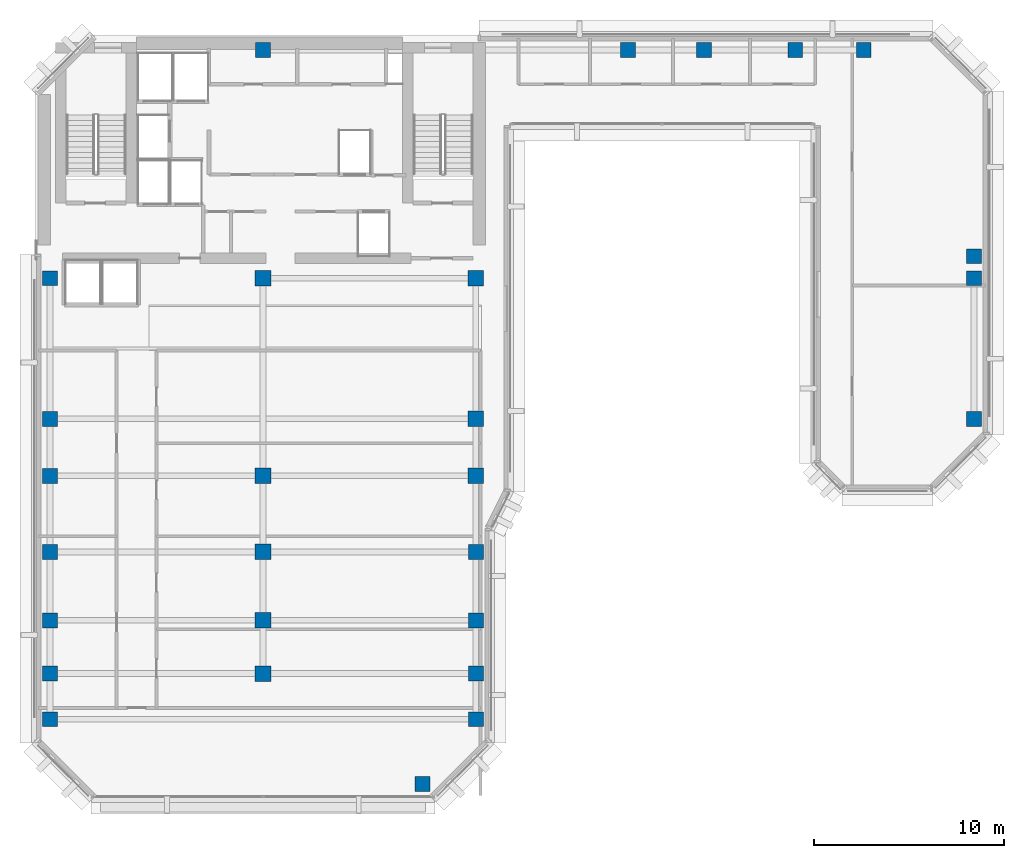
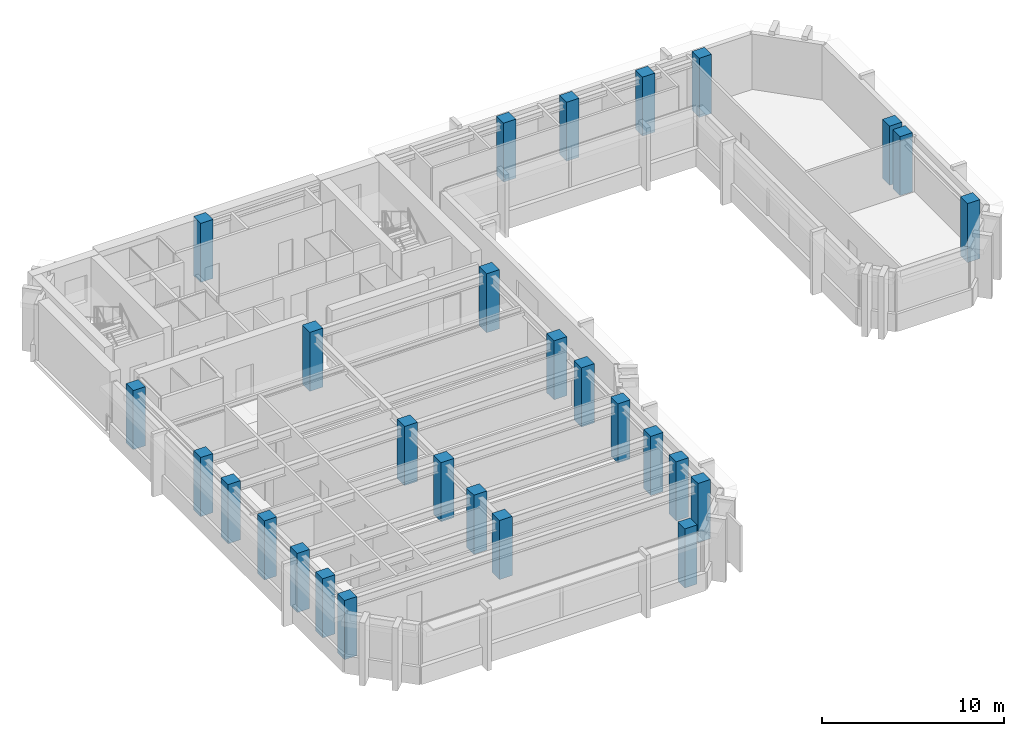
# One storey, part 1 of 11: 28 columns.
"""IFC4 building model written with IfcOpenShell, lengths in metres."""

from ifc_helpers import new_model, si_unit, direction, frame, origin, origin_2d, place, context, subcontext, project, spatial, rectangle, extrude, material, material_profile, profile_set, type_object, element, save


model = new_model("IFC4")

# Units and contexts
model_context = context("Model", 3, precision=1e-05, world=origin(), true_north=direction((0.0, 1.0)))
body_context = subcontext(model_context, "Body", "Model", "MODEL_VIEW")
ifc_project = project(units=[si_unit("LENGTHUNIT", "METRE"), si_unit("AREAUNIT", "SQUARE_METRE"), si_unit("VOLUMEUNIT", "CUBIC_METRE"), si_unit("PLANEANGLEUNIT", "RADIAN"), si_unit("MASSUNIT", "GRAM", prefix="KILO")], contexts=[model_context])

# Site, building, storey
site_placement = place(None, origin())
site = spatial("IfcSite", under=ifc_project, at=site_placement, CompositionType="ELEMENT")
building_placement = place(site_placement, origin())
building = spatial("IfcBuilding", under=site, at=building_placement, Name="Kefirva Bronze Tower", CompositionType="ELEMENT")
storey_placement = place(building_placement, frame((0.0, 0.0, 231.659912109375)))
storey = spatial("IfcBuildingStorey", under=building, at=storey_placement, Name="L56", CompositionType="ELEMENT", Elevation=231.659912109375)

# Columns
ifc_material = material(Name="Concrete C50/60", Category="concrete")
ifc_material_profile_1 = material_profile(ifc_material, rectangle(XDim=0.780029296875, YDim=0.780029296875, at=origin_2d()), Name="RC 780x780")
ifc_profile_set_1 = profile_set([ifc_material_profile_1], Name="Concrete C50/60")
column_type_1 = type_object("IfcColumnType", Name="RC Column 780x780 Ext", PredefinedType="COLUMN", material=ifc_profile_set_1)
for number, where, z_axis, x_axis, name in (
    (1, (0.800048828125, 10.0, 0.0), (0.0, 0.0, 1.0), (1.0, 0.0, 0.0), "L56 Column C008_100"),
    (2, (0.800048828125, 12.39990234375, 0.0), (0.0, 0.0, 1.0), (1.0, 0.0, 0.0), "L56 Column C008_124"),
    (3, (0.800048828125, 15.199951171875, 0.0), (0.0, 0.0, 1.0), (1.0, 0.0, 0.0), "L56 Column C008_152"),
    (4, (0.800048828125, 18.800048828125, 0.0), (0.0, 0.0, 1.0), (1.0, 0.0, 0.0), "L56 Column C008_188"),
    (5, (0.800048828125, 22.800048828125, 0.0), (0.0, 0.0, 1.0), (1.0, 0.0, 0.0), "L56 Column C008_228"),
    (6, (0.800048828125, 25.800048828125, 0.0), (0.0, 0.0, 1.0), (1.0, 0.0, 0.0), "L56 Column C008_258"),
    (7, (0.800048828125, 33.199951171875, 0.0), (0.0, 0.0, 1.0), (1.0, 0.0, 0.0), "L56 Column C008_332"),
    (8, (12.0, 45.199951171875, 0.0), (0.0, 0.0, 1.0), (1.0, 0.0, 0.0), "L56 Column C120_452"),
    (9, (20.39990234375, 6.60009765625, 0.0), (0.0, 0.0, 1.0), (1.0, 0.0, 0.0), "L56 Column C204_066"),
    (10, (23.199951171875, 10.0, 0.0), (0.0, 0.0, 1.0), (1.0, 0.0, 0.0), "L56 Column C232_100"),
    (11, (23.199951171875, 12.39990234375, 0.0), (0.0, 0.0, 1.0), (1.0, 0.0, 0.0), "L56 Column C232_124"),
    (12, (23.199951171875, 15.199951171875, 0.0), (0.0, 0.0, 1.0), (1.0, 0.0, 0.0), "L56 Column C232_152"),
    (13, (23.199951171875, 18.800048828125, 0.0), (0.0, 0.0, 1.0), (1.0, 0.0, 0.0), "L56 Column C232_188"),
    (14, (31.199951171875, 45.199951171875, 0.0), (0.0, 0.0, 1.0), (1.0, 0.0, 0.0), "L56 Column C312_452"),
    (15, (35.199951171875, 45.199951171875, 0.0), (0.0, 0.0, 1.0), (1.0, 0.0, 0.0), "L56 Column C352_452"),
    (16, (40.0, 45.199951171875, 0.0), (0.0, 0.0, 1.0), (1.0, 0.0, 0.0), "L56 Column C400_452"),
    (17, (43.60009765625, 45.199951171875, 0.0), (0.0, 0.0, 1.0), (1.0, 0.0, 0.0), "L56 Column C436_452"),
    (18, (49.39990234375, 25.800048828125, 0.0), (0.0, 0.0, 1.0), (1.0, 0.0, 0.0), "L56 Column C494_258"),
    (19, (49.39990234375, 33.199951171875, 0.0), (0.0, 0.0, 1.0), (1.0, 0.0, 0.0), "L56 Column C494_332"),
    (20, (49.39990234375, 34.35009765625, 0.0), (0.0, 0.0, 1.0), (1.0, 0.0, 0.0), "L56 Column C494_344"),
):
    element("IfcColumn", number, at=place(storey_placement, frame(where, z_axis=z_axis, x_axis=x_axis)), inside=storey, type_object=column_type_1, Name=name, PredefinedType="COLUMN", context=body_context, shape_type="SweptSolid", body=[
        extrude(rectangle(XDim=0.780029296875, YDim=0.780029296875, at=origin_2d()), origin(), (0.0, 0.0, 1.0), 3.960205078125),
    ])
ifc_material_profile_2 = material_profile(ifc_material, rectangle(XDim=0.820068359375, YDim=0.820068359375, at=origin_2d()), Name="RC 820x820")
ifc_profile_set_2 = profile_set([ifc_material_profile_2], Name="Concrete C50/60")
column_type_2 = type_object("IfcColumnType", Name="RC Column 820x820 Int", PredefinedType="COLUMN", material=ifc_profile_set_2)
for number, where, z_axis, x_axis, name in (
    (21, (12.0, 12.39990234375, 0.0), (0.0, 0.0, 1.0), (1.0, 0.0, 0.0), "L56 Column C120_124"),
    (22, (12.0, 15.199951171875, 0.0), (0.0, 0.0, 1.0), (1.0, 0.0, 0.0), "L56 Column C120_152"),
    (23, (12.0, 18.800048828125, 0.0), (0.0, 0.0, 1.0), (1.0, 0.0, 0.0), "L56 Column C120_188"),
    (24, (12.0, 22.800048828125, 0.0), (0.0, 0.0, 1.0), (1.0, 0.0, 0.0), "L56 Column C120_228"),
    (25, (12.0, 33.199951171875, 0.0), (0.0, 0.0, 1.0), (1.0, 0.0, 0.0), "L56 Column C120_332"),
    (26, (23.199951171875, 22.800048828125, 0.0), (0.0, 0.0, 1.0), (1.0, 0.0, 0.0), "L56 Column C232_228"),
    (27, (23.199951171875, 25.800048828125, 0.0), (0.0, 0.0, 1.0), (1.0, 0.0, 0.0), "L56 Column C232_258"),
    (28, (23.199951171875, 33.199951171875, 0.0), (0.0, 0.0, 1.0), (1.0, 0.0, 0.0), "L56 Column C232_332"),
):
    element("IfcColumn", number, at=place(storey_placement, frame(where, z_axis=z_axis, x_axis=x_axis)), inside=storey, type_object=column_type_2, Name=name, PredefinedType="COLUMN", context=body_context, shape_type="SweptSolid", body=[
        extrude(rectangle(XDim=0.820068359375, YDim=0.820068359375, at=origin_2d()), origin(), (0.0, 0.0, 1.0), 3.960205078125),
    ])

save(model, "model.ifc")
